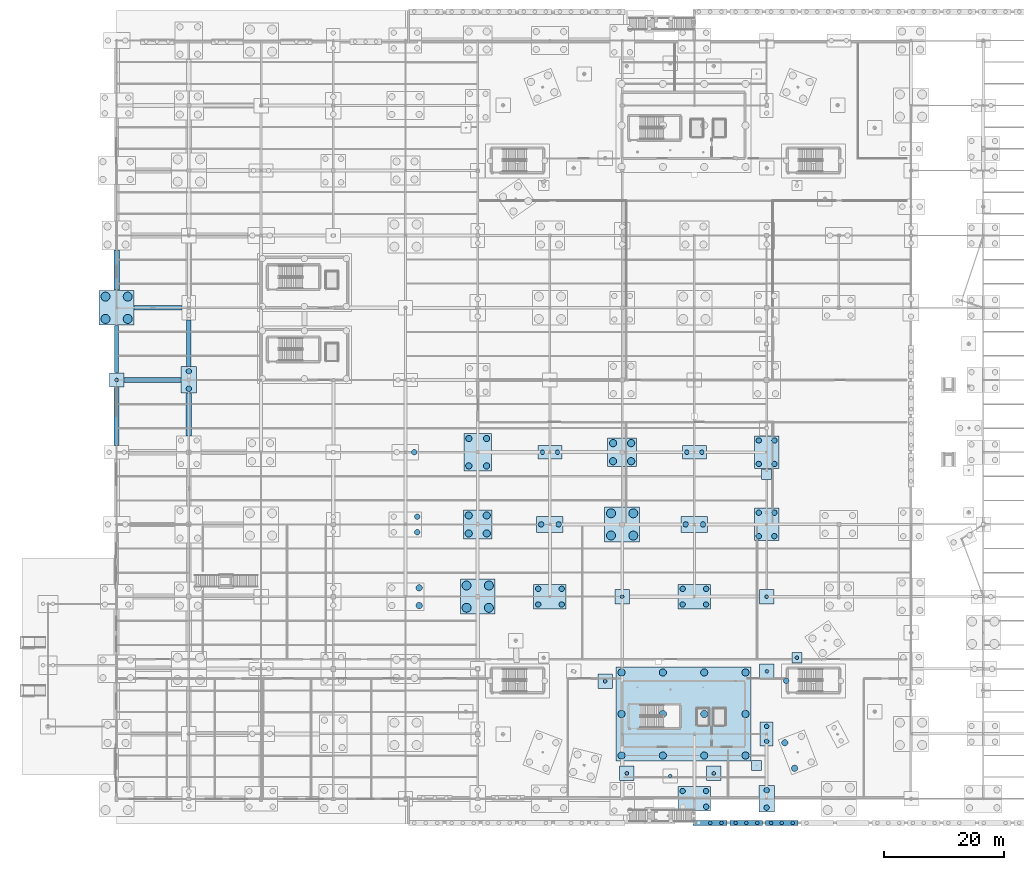
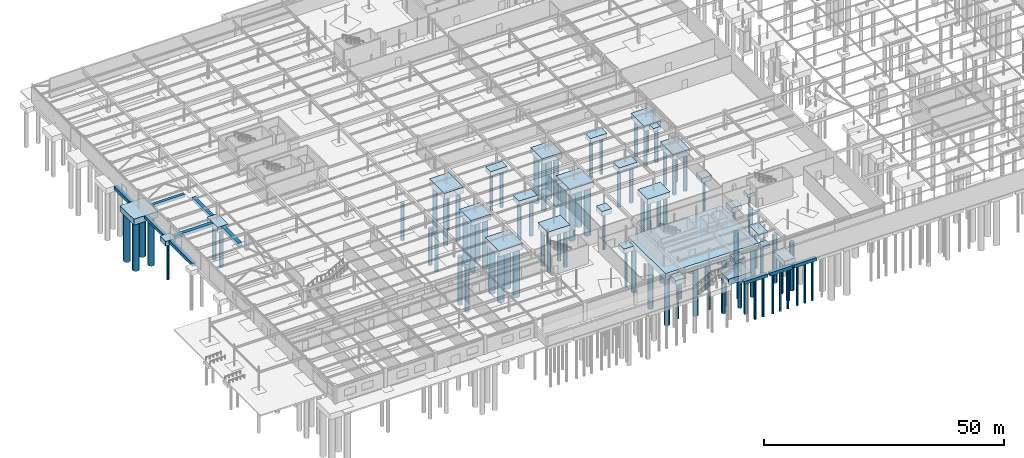
# One storey, part 3 of 136: 94 piles, 39 footings.
"""IFC4 building model written with IfcOpenShell, lengths in metres."""

from ifc_helpers import new_model, si_unit, direction, frame, origin, origin_2d, place, context, subcontext, project, spatial, rectangle, circle, extrude, material, material_profile, profile_set, type_object, element, save


model = new_model("IFC4")

# Units and contexts
model_context = context("Model", 3, precision=1e-05, world=origin(), true_north=direction((0.0, 1.0)))
body_context = subcontext(model_context, "Body", "Model", "MODEL_VIEW")
ifc_project = project(units=[si_unit("LENGTHUNIT", "METRE"), si_unit("AREAUNIT", "SQUARE_METRE"), si_unit("VOLUMEUNIT", "CUBIC_METRE"), si_unit("PLANEANGLEUNIT", "RADIAN"), si_unit("MASSUNIT", "GRAM", prefix="KILO")], contexts=[model_context])

# Site, building, storey
site_placement = place(None, origin())
site = spatial("IfcSite", under=ifc_project, at=site_placement, CompositionType="ELEMENT")
building_placement = place(site_placement, origin())
building = spatial("IfcBuilding", under=site, at=building_placement, Name="Tarnwether General Hospital", CompositionType="ELEMENT")
storey_placement = place(building_placement, frame((0.0, 0.0, -4.800048828125)))
storey = spatial("IfcBuildingStorey", under=building, at=storey_placement, Name="LG", CompositionType="ELEMENT", Elevation=-4.800048828125)

# Footings
ifc_material_1 = material(Name="Concrete 40 MPa", Category="concrete")
footing_type_1 = type_object("IfcFootingType", Name="FT-GB1", PredefinedType="FOOTING_BEAM", material=ifc_material_1)
footing_1_placement = place(storey_placement, frame((0.0, 63.550048828125, -0.7998046875), z_axis=(0.0, 0.0, 1.0), x_axis=(0.0, 1.0, 0.0)))
element("IfcFooting", 1, at=footing_1_placement, inside=storey, type_object=footing_type_1, Name="Ground Footing Beam FT-GB-0013", PredefinedType="FOOTING_BEAM", context=body_context, shape_type="SweptSolid", body=[
    extrude(rectangle(XDim=9.659912109375, YDim=0.800048828125, at=origin_2d()), origin(), (0.0, 0.0, 1.0), 0.800048828125),
])
footing_2_placement = place(storey_placement, frame((5.949951171875, 69.60009765625, -0.7998046875), z_axis=(0.0, 0.0, 1.0), x_axis=(1.0, 0.0, 0.0)))
element("IfcFooting", 2, at=footing_2_placement, inside=storey, type_object=footing_type_1, Name="Ground Footing Beam FT-GB-0016", PredefinedType="FOOTING_BEAM", context=body_context, shape_type="SweptSolid", body=[
    extrude(rectangle(XDim=9.4599609375, YDim=0.800048828125, at=origin_2d()), origin(), (0.0, 0.0, 1.0), 0.800048828125),
])
footing_3_placement = place(storey_placement, frame((12.0, 75.699951171875, -0.7998046875), z_axis=(0.0, 0.0, 1.0), x_axis=(0.0, 1.0, 0.0)))
element("IfcFooting", 3, at=footing_3_placement, inside=storey, type_object=footing_type_1, Name="Ground Footing Beam FT-GB-0037", PredefinedType="FOOTING_BEAM", context=body_context, shape_type="SweptSolid", body=[
    extrude(rectangle(XDim=7.760009765625, YDim=0.800048828125, at=origin_2d()), origin(), (0.0, 0.0, 1.0), 0.800048828125),
])
ifc_material_2 = material(Name="Concrete 40 MPa", Category="concrete")
footing_type_2 = type_object("IfcFootingType", Name="FT-GB2", PredefinedType="FOOTING_BEAM", material=ifc_material_2)
footing_4_placement = place(storey_placement, frame((0.0, 87.85009765625, -0.89990234375), z_axis=(0.0, 0.0, 1.0), x_axis=(0.0, 1.0, 0.0)))
element("IfcFooting", 4, at=footing_4_placement, inside=storey, type_object=footing_type_2, Name="Ground Footing Beam FT-GB-0017", PredefinedType="FOOTING_BEAM", context=body_context, shape_type="SweptSolid", body=[
    extrude(rectangle(XDim=6.659912109375, YDim=0.89990234375, at=origin_2d()), origin(), (0.0, 0.0, 1.0), 0.89990234375),
])
footing_5_placement = place(storey_placement, frame((12.0, 63.85009765625, -0.89990234375), z_axis=(0.0, 0.0, 1.0), x_axis=(0.0, 1.0, 0.0)))
element("IfcFooting", 5, at=footing_5_placement, inside=storey, type_object=footing_type_2, Name="Ground Footing Beam FT-GB-0035", PredefinedType="FOOTING_BEAM", context=body_context, shape_type="SweptSolid", body=[
    extrude(rectangle(XDim=7.06005859375, YDim=0.89990234375, at=origin_2d()), origin(), (0.0, 0.0, 1.0), 0.89990234375),
])
ifc_material_3 = material(Name="Concrete 40 MPa", Category="concrete")
footing_type_3 = type_object("IfcFootingType", Name="FT-GB3", PredefinedType="FOOTING_BEAM", material=ifc_material_3)
footing_6_placement = place(storey_placement, frame((0.0, 74.75, -0.69970703125), z_axis=(0.0, 0.0, 1.0), x_axis=(0.0, 1.0, 0.0)))
element("IfcFooting", 6, at=footing_6_placement, inside=storey, type_object=footing_type_3, Name="Ground Footing Beam FT-GB-0015", PredefinedType="FOOTING_BEAM", context=body_context, shape_type="SweptSolid", body=[
    extrude(rectangle(XDim=7.860107421875, YDim=0.699951171875, at=origin_2d()), origin(), (0.0, 0.0, 1.0), 0.699951171875),
])
footing_7_placement = place(storey_placement, frame((6.89990234375, 81.60009765625, -0.69970703125), z_axis=(0.0, 0.0, 1.0), x_axis=(1.0, 0.0, 0.0)))
element("IfcFooting", 7, at=footing_7_placement, inside=storey, type_object=footing_type_3, Name="Ground Footing Beam FT-GB-0018", PredefinedType="FOOTING_BEAM", context=body_context, shape_type="SweptSolid", body=[
    extrude(rectangle(XDim=7.9599609375, YDim=0.699951171875, at=origin_2d()), origin(), (0.0, 0.0, 1.0), 0.699951171875),
])
ifc_material_4 = material(Name="Concrete 40 MPa", Category="concrete")
footing_type_4 = type_object("IfcFootingType", Name="FT-PC1", PredefinedType="PILE_CAP", material=ifc_material_4)
for number, where, z_axis, x_axis, name in (
    (8, (0.0, 69.60009765625, -1.19970703125), (0.0, 0.0, 1.0), (1.0, 0.0, 0.0), "Pile Cap FT-CAP-0017"),
    (9, (84.0, 33.60009765625, -1.19970703125), (0.0, 0.0, 1.0), (0.0, 1.0, 0.0), "Pile Cap FT-CAP-0088"),
    (10, (108.0, 33.60009765625, -1.19970703125), (0.0, 0.0, 1.0), (0.0, 1.0, 0.0), "Pile Cap FT-CAP-0105"),
    (11, (81.162109375, 19.531005859375, -1.19970703125), (0.0, 0.0, 1.0), (1.0, 0.0, 0.0), "Pile Cap FT-CAP-0216"),
    (12, (84.784912109375, 4.240966796875, -1.19970703125), (0.0, 0.0, 1.0), (1.0, 0.0, 0.0), "Pile Cap FT-CAP-0217"),
    (13, (99.215087890625, 4.240966796875, -1.19970703125), (0.0, 0.0, 1.0), (1.0, 0.0, 0.0), "Pile Cap FT-CAP-0219"),
    (14, (108.054931640625, 21.176025390625, -1.19970703125), (0.0, 0.0, 1.0), (1.0, 0.0, 0.0), "Pile Cap FT-CAP-0222"),
):
    element("IfcFooting", number, at=place(storey_placement, frame(where, z_axis=z_axis, x_axis=x_axis)), inside=storey, type_object=footing_type_4, Name=name, PredefinedType="PILE_CAP", context=body_context, shape_type="SweptSolid", body=[
        extrude(rectangle(XDim=2.39990234375, YDim=2.39990234375, at=origin_2d()), origin(), (0.0, 0.0, 1.0), 1.199951171875),
    ])
ifc_material_5 = material(Name="Concrete 40 MPa", Category="concrete")
footing_type_5 = type_object("IfcFootingType", Name="FT-PC2", PredefinedType="PILE_CAP", material=ifc_material_5)
for number, where, z_axis, x_axis, name in (
    (15, (72.0, 57.60009765625, -1.19970703125), (0.0, 0.0, 1.0), (1.0, 0.0, 0.0), "Pile Cap FT-CAP-0082"),
    (16, (96.0, 57.60009765625, -1.19970703125), (0.0, 0.0, 1.0), (1.0, 0.0, 0.0), "Pile Cap FT-CAP-0098"),
    (17, (108.0, 10.800048828125, -1.19970703125), (0.0, 0.0, 1.0), (0.0, 1.0, 0.0), "Pile Cap FT-CAP-0104"),
):
    element("IfcFooting", number, at=place(storey_placement, frame(where, z_axis=z_axis, x_axis=x_axis)), inside=storey, type_object=footing_type_5, Name=name, PredefinedType="PILE_CAP", context=body_context, shape_type="SweptSolid", body=[
        extrude(rectangle(XDim=4.0, YDim=2.199951171875, at=origin_2d()), origin(), (0.0, 0.0, 1.0), 1.199951171875),
    ])
ifc_material_6 = material(Name="Concrete 40 MPa", Category="concrete")
footing_type_6 = type_object("IfcFootingType", Name="FT-PC3", PredefinedType="PILE_CAP", material=ifc_material_6)
for number, where, z_axis, x_axis, name in (
    (18, (12.0, 69.60009765625, -1.2998046875), (0.0, 0.0, 1.0), (0.0, 1.0, 0.0), "Pile Cap FT-CAP-0029"),
    (19, (72.0, 45.60009765625, -1.2998046875), (0.0, 0.0, 1.0), (1.0, 0.0, 0.0), "Pile Cap FT-CAP-0081"),
    (20, (96.0, 45.60009765625, -1.2998046875), (0.0, 0.0, 1.0), (1.0, 0.0, 0.0), "Pile Cap FT-CAP-0097"),
    (21, (108.0, 0.0, -1.2998046875), (0.0, 0.0, 1.0), (0.0, 1.0, 0.0), "Pile Cap FT-CAP-0103"),
):
    element("IfcFooting", number, at=place(storey_placement, frame(where, z_axis=z_axis, x_axis=x_axis)), inside=storey, type_object=footing_type_6, Name=name, PredefinedType="PILE_CAP", context=body_context, shape_type="SweptSolid", body=[
        extrude(rectangle(XDim=4.39990234375, YDim=2.60009765625, at=origin_2d()), origin(), (0.0, 0.0, 1.0), 1.300048828125),
    ])
ifc_material_7 = material(Name="Concrete 40 MPa", Category="concrete")
footing_type_7 = type_object("IfcFootingType", Name="FT-PC4", PredefinedType="PILE_CAP", material=ifc_material_7)
for number, where, z_axis, x_axis, name in (
    (22, (60.0, 45.60009765625, -1.39990234375), (0.0, 0.0, 1.0), (0.0, 1.0, 0.0), "Pile Cap FT-CAP-0071"),
    (23, (84.0, 57.60009765625, -1.39990234375), (0.0, 0.0, 1.0), (0.0, 1.0, 0.0), "Pile Cap FT-CAP-0090"),
):
    element("IfcFooting", number, at=place(storey_placement, frame(where, z_axis=z_axis, x_axis=x_axis)), inside=storey, type_object=footing_type_7, Name=name, PredefinedType="PILE_CAP", context=body_context, shape_type="SweptSolid", body=[
        extrude(rectangle(XDim=4.800048828125, YDim=4.800048828125, at=origin_2d()), origin(), (0.0, 0.0, 1.0), 1.39990234375),
    ])
ifc_material_8 = material(Name="Concrete 40 MPa", Category="concrete")
footing_type_8 = type_object("IfcFootingType", Name="FT-PC5", PredefinedType="PILE_CAP", material=ifc_material_8)
for number, where, z_axis, x_axis, name in (
    (24, (0.0, 81.60009765625, -1.5), (0.0, 0.0, 1.0), (1.0, 0.0, 0.0), "Pile Cap FT-CAP-0018"),
    (25, (60.0, 33.60009765625, -1.5), (0.0, 0.0, 1.0), (0.0, 1.0, 0.0), "Pile Cap FT-CAP-0070"),
    (26, (84.0, 45.60009765625, -1.5), (0.0, 0.0, 1.0), (0.0, 1.0, 0.0), "Pile Cap FT-CAP-0089"),
):
    element("IfcFooting", number, at=place(storey_placement, frame(where, z_axis=z_axis, x_axis=x_axis)), inside=storey, type_object=footing_type_8, Name=name, PredefinedType="PILE_CAP", context=body_context, shape_type="SweptSolid", body=[
        extrude(rectangle(XDim=5.800048828125, YDim=5.800048828125, at=origin_2d()), origin(), (0.0, 0.0, 1.0), 1.5),
    ])
ifc_material_9 = material(Name="Concrete 40 MPa", Category="concrete")
footing_type_9 = type_object("IfcFootingType", Name="FT-PC6", PredefinedType="PILE_CAP", material=ifc_material_9)
for number, where, z_axis, x_axis, name in (
    (27, (72.0, 33.60009765625, -1.44970703125), (0.0, 0.0, 1.0), (1.0, 0.0, 0.0), "Pile Cap FT-CAP-0080"),
    (28, (96.0, 0.0, -1.44970703125), (0.0, 0.0, 1.0), (1.0, 0.0, 0.0), "Pile Cap FT-CAP-0095"),
    (29, (96.0, 33.60009765625, -1.44970703125), (0.0, 0.0, 1.0), (1.0, 0.0, 0.0), "Pile Cap FT-CAP-0096"),
    (30, (108.0, 45.60009765625, -1.44970703125), (0.0, 0.0, 1.0), (0.0, 1.0, 0.0), "Pile Cap FT-CAP-0106"),
    (31, (108.0, 57.60009765625, -1.44970703125), (0.0, 0.0, 1.0), (0.0, 1.0, 0.0), "Pile Cap FT-CAP-0107"),
):
    element("IfcFooting", number, at=place(storey_placement, frame(where, z_axis=z_axis, x_axis=x_axis)), inside=storey, type_object=footing_type_9, Name=name, PredefinedType="PILE_CAP", context=body_context, shape_type="SweptSolid", body=[
        extrude(rectangle(XDim=5.39990234375, YDim=4.10009765625, at=origin_2d()), origin(), (0.0, 0.0, 1.0), 1.449951171875),
    ])
ifc_material_10 = material(Name="Concrete 40 MPa", Category="concrete")
footing_type_10 = type_object("IfcFootingType", Name="FT-PC7", PredefinedType="PILE_CAP", material=ifc_material_10)
footing_8_placement = place(storey_placement, frame((60.0, 57.60009765625, -1.5498046875), z_axis=(0.0, 0.0, 1.0), x_axis=(0.0, 1.0, 0.0)))
element("IfcFooting", 32, at=footing_8_placement, inside=storey, type_object=footing_type_10, Name="Pile Cap FT-CAP-0072", PredefinedType="PILE_CAP", context=body_context, shape_type="SweptSolid", body=[
    extrude(rectangle(XDim=6.199951171875, YDim=4.60009765625, at=origin_2d()), origin(), (0.0, 0.0, 1.0), 1.550048828125),
])
ifc_material_11 = material(Name="Concrete 40 MPa", Category="concrete")
footing_type_11 = type_object("IfcFootingType", Name="FT-PC9", PredefinedType="PILE_CAP", material=ifc_material_11)
footing_9_placement = place(storey_placement, frame((94.199951171875, 14.10009765625, -1.60009765625), z_axis=(0.0, 0.0, 1.0), x_axis=(1.0, 0.0, 0.0)))
element("IfcFooting", 33, at=footing_9_placement, inside=storey, type_object=footing_type_11, Name="Pile Cap FT-CAP-0002", PredefinedType="PILE_CAP", context=body_context, shape_type="SweptSolid", body=[
    extrude(rectangle(XDim=22.39990234375, YDim=15.60009765625, at=origin_2d()), origin(), (0.0, 0.0, 1.0), 1.60009765625),
])
ifc_material_12 = material(Name="Concrete 40 MPa", Category="concrete")
footing_type_12 = type_object("IfcFootingType", Name="FT-PF5", PredefinedType="PAD_FOOTING", material=ifc_material_12)
for number, where, z_axis, x_axis, name in (
    (34, (108.0, 53.949951171875, -0.7998046875), (0.0, 0.0, 1.0), (1.0, 0.0, 0.0), "Column Bearing Pad FT-PAD-0179"),
    (35, (106.322021484375, 5.55810546875, -0.7998046875), (0.0, 0.0, 1.0), (1.0, 0.0, 0.0), "Column Bearing Pad FT-PAD-0220"),
    (36, (113.031982421875, 23.444091796875, -0.7998046875), (0.0, 0.0, 1.0), (1.0, 0.0, 0.0), "Column Bearing Pad FT-PAD-0224"),
):
    element("IfcFooting", number, at=place(storey_placement, frame(where, z_axis=z_axis, x_axis=x_axis)), inside=storey, type_object=footing_type_12, Name=name, PredefinedType="PAD_FOOTING", context=body_context, shape_type="SweptSolid", body=[
        extrude(rectangle(XDim=1.699951171875, YDim=1.699951171875, at=origin_2d()), origin(), (0.0, 0.0, 1.0), 0.800048828125),
    ])
ifc_material_13 = material(Name="Concrete 40 MPa", Category="concrete")
footing_type_13 = type_object("IfcFootingType", Name="FT-SF1", PredefinedType="STRIP_FOOTING", material=ifc_material_13)
footing_10_placement = place(storey_placement, frame((98.6220703125, -4.0, -0.7998046875), z_axis=(0.0, 0.0, 1.0), x_axis=(1.0, 0.0, 0.0)))
element("IfcFooting", 37, at=footing_10_placement, inside=storey, type_object=footing_type_13, Name="Retaining Strip Footing FT-SF-0098", PredefinedType="STRIP_FOOTING", context=body_context, shape_type="SweptSolid", body=[
    extrude(rectangle(XDim=5.64404296875, YDim=0.800048828125, at=origin_2d()), origin(), (0.0, 0.0, 1.0), 0.800048828125),
])
for number, where, z_axis, x_axis, name in (
    (38, (104.64111328125, -4.0, -0.7998046875), (0.0, 0.0, 1.0), (1.0, 0.0, 0.0), "Retaining Strip Footing FT-SF-0099"),
    (39, (110.534912109375, -4.0, -0.7998046875), (0.0, 0.0, 1.0), (1.0, 0.0, 0.0), "Retaining Strip Footing FT-SF-0100"),
):
    element("IfcFooting", number, at=place(storey_placement, frame(where, z_axis=z_axis, x_axis=x_axis)), inside=storey, type_object=footing_type_13, Name=name, PredefinedType="STRIP_FOOTING", context=body_context, shape_type="SweptSolid", body=[
        extrude(rectangle(XDim=5.39404296875, YDim=0.800048828125, at=origin_2d()), origin(), (0.0, 0.0, 1.0), 0.800048828125),
    ])

# Piles
ifc_material_14 = material(Name="Concrete 40 MPa", Category="concrete")
ifc_material_profile_1 = material_profile(ifc_material_14, circle(Radius=0.52490234375, at=origin_2d()), Name="PILE-D1050")
ifc_profile_set_1 = profile_set([ifc_material_profile_1], Name="Concrete 40 MPa")
pile_type_1 = type_object("IfcPileType", Name="PL-1050", PredefinedType="BORED", material=ifc_profile_set_1)
for number, where, z_axis, x_axis, name in (
    (40, (50.27490234375, 32.125, -1.449951171875), (0.0, 0.0, -1.0), (1.0, 0.0, 0.0), "Bored Pile PLG-LG-503_321-0199"),
    (41, (50.27490234375, 35.074951171875, -1.449951171875), (0.0, 0.0, -1.0), (1.0, 0.0, 0.0), "Bored Pile PLG-LG-503_351-0200"),
    (42, (61.47509765625, 55.324951171875, -1.449951171875), (0.0, 0.0, -1.0), (1.0, 0.0, 0.0), "Bored Pile PLG-LG-615_553-0239"),
    (43, (58.52490234375, 55.324951171875, -1.449951171875), (0.0, 0.0, -1.0), (1.0, 0.0, 0.0), "Bored Pile PLG-LG-585_553-0240"),
    (44, (61.47509765625, 59.875, -1.449951171875), (0.0, 0.0, -1.0), (1.0, 0.0, 0.0), "Bored Pile PLG-LG-615_599-0241"),
    (45, (58.52490234375, 59.875, -1.449951171875), (0.0, 0.0, -1.0), (1.0, 0.0, 0.0), "Bored Pile PLG-LG-585_599-0242"),
    (46, (112.653076171875, 5.080078125, -1.449951171875), (0.0, 0.0, -1.0), (1.0, 0.0, 0.0), "Bored Pile PLG-LG-1127_51-0598"),
    (47, (111.02294921875, 9.326904296875, -1.449951171875), (0.0, 0.0, -1.0), (1.0, 0.0, 0.0), "Bored Pile PLG-LG-1110_93-0600"),
):
    element("IfcPile", number, at=place(storey_placement, frame(where, z_axis=z_axis, x_axis=x_axis)), inside=storey, type_object=pile_type_1, Name=name, PredefinedType="BORED", context=body_context, shape_type="SweptSolid", body=[
        extrude(circle(Radius=0.52490234375, at=origin_2d()), origin(), (0.0, 0.0, 1.0), 12.25),
    ])
ifc_material_15 = material(Name="Concrete 40 MPa", Category="concrete")
ifc_material_profile_2 = material_profile(ifc_material_15, circle(Radius=0.60009765625, at=origin_2d()), Name="PILE-D1200")
ifc_profile_set_2 = profile_set([ifc_material_profile_2], Name="Concrete 40 MPa")
pile_type_2 = type_object("IfcPileType", Name="PL-1200", PredefinedType="BORED", material=ifc_profile_set_2)
for number, where, z_axis, x_axis, name in (
    (48, (83.89990234375, 7.199951171875, -1.5), (0.0, 0.0, -1.0), (1.0, 0.0, 0.0), "Bored Pile PLG-LG-839_72-0013"),
    (49, (83.89990234375, 14.10009765625, -1.5), (0.0, 0.0, -1.0), (1.0, 0.0, 0.0), "Bored Pile PLG-LG-839_141-0014"),
    (50, (83.89990234375, 21.0, -1.5), (0.0, 0.0, -1.0), (1.0, 0.0, 0.0), "Bored Pile PLG-LG-839_210-0015"),
    (51, (90.76708984375, 7.199951171875, -1.5), (0.0, 0.0, -1.0), (1.0, 0.0, 0.0), "Bored Pile PLG-LG-908_72-0016"),
    (52, (90.76708984375, 14.10009765625, -1.5), (0.0, 0.0, -1.0), (1.0, 0.0, 0.0), "Bored Pile PLG-LG-908_141-0017"),
    (53, (90.76708984375, 21.0, -1.5), (0.0, 0.0, -1.0), (1.0, 0.0, 0.0), "Bored Pile PLG-LG-908_210-0018"),
    (54, (97.633056640625, 7.199951171875, -1.5), (0.0, 0.0, -1.0), (1.0, 0.0, 0.0), "Bored Pile PLG-LG-976_72-0019"),
    (55, (97.633056640625, 14.10009765625, -1.5), (0.0, 0.0, -1.0), (1.0, 0.0, 0.0), "Bored Pile PLG-LG-976_141-0020"),
    (56, (97.633056640625, 21.0, -1.5), (0.0, 0.0, -1.0), (1.0, 0.0, 0.0), "Bored Pile PLG-LG-976_210-0021"),
    (57, (104.5, 7.199951171875, -1.5), (0.0, 0.0, -1.0), (1.0, 0.0, 0.0), "Bored Pile PLG-LG-1045_72-0022"),
    (58, (104.5, 14.10009765625, -1.5), (0.0, 0.0, -1.0), (1.0, 0.0, 0.0), "Bored Pile PLG-LG-1045_141-0023"),
    (59, (104.5, 21.0, -1.5), (0.0, 0.0, -1.0), (1.0, 0.0, 0.0), "Bored Pile PLG-LG-1045_210-0024"),
):
    element("IfcPile", number, at=place(storey_placement, frame(where, z_axis=z_axis, x_axis=x_axis)), inside=storey, type_object=pile_type_2, Name=name, PredefinedType="BORED", context=body_context, shape_type="SweptSolid", body=[
        extrude(circle(Radius=0.60009765625, at=origin_2d()), origin(), (0.0, 0.0, 1.0), 12.199951171875),
    ])
for number, where, z_axis, x_axis, name in (
    (60, (61.5, 44.10009765625, -1.300048828125), (0.0, 0.0, -1.0), (1.0, 0.0, 0.0), "Bored Pile PLG-LG-615_441-0235"),
    (61, (58.5, 44.10009765625, -1.300048828125), (0.0, 0.0, -1.0), (1.0, 0.0, 0.0), "Bored Pile PLG-LG-585_441-0236"),
    (62, (61.5, 47.10009765625, -1.300048828125), (0.0, 0.0, -1.0), (1.0, 0.0, 0.0), "Bored Pile PLG-LG-615_471-0237"),
    (63, (58.5, 47.10009765625, -1.300048828125), (0.0, 0.0, -1.0), (1.0, 0.0, 0.0), "Bored Pile PLG-LG-585_471-0238"),
    (64, (85.5, 56.10009765625, -1.300048828125), (0.0, 0.0, -1.0), (1.0, 0.0, 0.0), "Bored Pile PLG-LG-855_561-0294"),
    (65, (82.5, 56.10009765625, -1.300048828125), (0.0, 0.0, -1.0), (1.0, 0.0, 0.0), "Bored Pile PLG-LG-825_561-0295"),
    (66, (85.5, 59.10009765625, -1.300048828125), (0.0, 0.0, -1.0), (1.0, 0.0, 0.0), "Bored Pile PLG-LG-855_591-0296"),
    (67, (82.5, 59.10009765625, -1.300048828125), (0.0, 0.0, -1.0), (1.0, 0.0, 0.0), "Bored Pile PLG-LG-825_591-0297"),
):
    element("IfcPile", number, at=place(storey_placement, frame(where, z_axis=z_axis, x_axis=x_axis)), inside=storey, type_object=pile_type_2, Name=name, PredefinedType="BORED", context=body_context, shape_type="SweptSolid", body=[
        extrude(circle(Radius=0.60009765625, at=origin_2d()), origin(), (0.0, 0.0, 1.0), 12.39990234375),
    ])
ifc_material_16 = material(Name="Concrete 40 MPa", Category="concrete")
ifc_material_profile_3 = material_profile(ifc_material_16, circle(Radius=0.75, at=origin_2d()), Name="PILE-D1500")
ifc_profile_set_3 = profile_set([ifc_material_profile_3], Name="Concrete 40 MPa")
pile_type_3 = type_object("IfcPileType", Name="PL-1500", PredefinedType="BORED", material=ifc_profile_set_3)
for number, where, z_axis, x_axis, name in (
    (68, (-1.85009765625, 79.75, -1.39990234375), (0.0, 0.0, -1.0), (1.0, 0.0, 0.0), "Bored Pile PLG-LG--18_798-0082"),
    (69, (-1.85009765625, 83.449951171875, -1.39990234375), (0.0, 0.0, -1.0), (1.0, 0.0, 0.0), "Bored Pile PLG-LG--18_834-0083"),
    (70, (1.85009765625, 79.75, -1.39990234375), (0.0, 0.0, -1.0), (1.0, 0.0, 0.0), "Bored Pile PLG-LG-18_798-0084"),
    (71, (1.85009765625, 83.449951171875, -1.39990234375), (0.0, 0.0, -1.0), (1.0, 0.0, 0.0), "Bored Pile PLG-LG-18_834-0085"),
    (72, (61.85009765625, 31.75, -1.39990234375), (0.0, 0.0, -1.0), (1.0, 0.0, 0.0), "Bored Pile PLG-LG-618_318-0231"),
    (73, (58.14990234375, 31.75, -1.39990234375), (0.0, 0.0, -1.0), (1.0, 0.0, 0.0), "Bored Pile PLG-LG-582_318-0232"),
    (74, (61.85009765625, 35.449951171875, -1.39990234375), (0.0, 0.0, -1.0), (1.0, 0.0, 0.0), "Bored Pile PLG-LG-618_354-0233"),
    (75, (58.14990234375, 35.449951171875, -1.39990234375), (0.0, 0.0, -1.0), (1.0, 0.0, 0.0), "Bored Pile PLG-LG-582_354-0234"),
    (76, (85.85009765625, 43.75, -1.39990234375), (0.0, 0.0, -1.0), (1.0, 0.0, 0.0), "Bored Pile PLG-LG-858_438-0290"),
    (77, (82.14990234375, 43.75, -1.39990234375), (0.0, 0.0, -1.0), (1.0, 0.0, 0.0), "Bored Pile PLG-LG-822_438-0291"),
    (78, (85.85009765625, 47.449951171875, -1.39990234375), (0.0, 0.0, -1.0), (1.0, 0.0, 0.0), "Bored Pile PLG-LG-858_474-0292"),
    (79, (82.14990234375, 47.449951171875, -1.39990234375), (0.0, 0.0, -1.0), (1.0, 0.0, 0.0), "Bored Pile PLG-LG-822_474-0293"),
):
    element("IfcPile", number, at=place(storey_placement, frame(where, z_axis=z_axis, x_axis=x_axis)), inside=storey, type_object=pile_type_3, Name=name, PredefinedType="BORED", context=body_context, shape_type="SweptSolid", body=[
        extrude(circle(Radius=0.75, at=origin_2d()), origin(), (0.0, 0.0, 1.0), 12.300048828125),
    ])
ifc_material_17 = material(Name="Concrete 40 MPa", Category="concrete")
ifc_material_profile_4 = material_profile(ifc_material_17, circle(Radius=0.300048828125, at=origin_2d()), Name="PILE-D600")
ifc_profile_set_4 = profile_set([ifc_material_profile_4], Name="Concrete 40 MPa")
pile_type_4 = type_object("IfcPileType", Name="PL-600", PredefinedType="BORED", material=ifc_profile_set_4)
for number, where, z_axis, x_axis, name in (
    (80, (0.0, 69.60009765625, -1.099853515625), (0.0, 0.0, -1.0), (1.0, 0.0, 0.0), "Bored Pile PLG-LG-0_696-0081"),
    (81, (84.0, 33.60009765625, -1.099853515625), (0.0, 0.0, -1.0), (1.0, 0.0, 0.0), "Bored Pile PLG-LG-840_336-0289"),
    (82, (108.0, 33.60009765625, -1.099853515625), (0.0, 0.0, -1.0), (1.0, 0.0, 0.0), "Bored Pile PLG-LG-1080_336-0341"),
    (83, (81.162109375, 19.531005859375, -1.099853515625), (0.0, 0.0, -1.0), (1.0, 0.0, 0.0), "Bored Pile PLG-LG-812_195-0593"),
    (84, (84.784912109375, 4.240966796875, -1.099853515625), (0.0, 0.0, -1.0), (1.0, 0.0, 0.0), "Bored Pile PLG-LG-848_42-0594"),
    (85, (92.0, 3.800048828125, -1.099853515625), (0.0, 0.0, -1.0), (1.0, 0.0, 0.0), "Bored Pile PLG-LG-920_38-0595"),
    (86, (99.215087890625, 4.240966796875, -1.099853515625), (0.0, 0.0, -1.0), (1.0, 0.0, 0.0), "Bored Pile PLG-LG-992_42-0596"),
    (87, (108.054931640625, 21.176025390625, -1.099853515625), (0.0, 0.0, -1.0), (1.0, 0.0, 0.0), "Bored Pile PLG-LG-1081_212-0601"),
):
    element("IfcPile", number, at=place(storey_placement, frame(where, z_axis=z_axis, x_axis=x_axis)), inside=storey, type_object=pile_type_4, Name=name, PredefinedType="BORED", context=body_context, shape_type="SweptSolid", body=[
        extrude(circle(Radius=0.300048828125, at=origin_2d()), origin(), (0.0, 0.0, 1.0), 9.60009765625),
    ])
for number, where, z_axis, x_axis, name in (
    (88, (113.031982421875, 23.444091796875, -0.699951171875), (0.0, 0.0, -1.0), (1.0, 0.0, 0.0), "Bored Pile PLG-LG-1130_234-0604"),
    (89, (98.6220703125, -4.0, -0.699951171875), (0.0, 0.0, -1.0), (1.0, 0.0, 0.0), "Bored Pile PLG-LG-986_-40-0777"),
    (90, (100.5029296875, -4.0, -0.699951171875), (0.0, 0.0, -1.0), (1.0, 0.0, 0.0), "Bored Pile PLG-LG-1005_-40-0778"),
    (91, (102.843017578125, -4.0, -0.699951171875), (0.0, 0.0, -1.0), (1.0, 0.0, 0.0), "Bored Pile PLG-LG-1028_-40-0779"),
    (92, (104.64111328125, -4.0, -0.699951171875), (0.0, 0.0, -1.0), (1.0, 0.0, 0.0), "Bored Pile PLG-LG-1046_-40-0780"),
    (93, (106.43896484375, -4.0, -0.699951171875), (0.0, 0.0, -1.0), (1.0, 0.0, 0.0), "Bored Pile PLG-LG-1064_-40-0781"),
    (94, (108.737060546875, -4.0, -0.699951171875), (0.0, 0.0, -1.0), (1.0, 0.0, 0.0), "Bored Pile PLG-LG-1087_-40-0782"),
    (95, (110.534912109375, -4.0, -0.699951171875), (0.0, 0.0, -1.0), (1.0, 0.0, 0.0), "Bored Pile PLG-LG-1105_-40-0783"),
    (96, (112.3330078125, -4.0, -0.699951171875), (0.0, 0.0, -1.0), (1.0, 0.0, 0.0), "Bored Pile PLG-LG-1123_-40-0784"),
):
    element("IfcPile", number, at=place(storey_placement, frame(where, z_axis=z_axis, x_axis=x_axis)), inside=storey, type_object=pile_type_4, Name=name, PredefinedType="BORED", context=body_context, shape_type="SweptSolid", body=[
        extrude(circle(Radius=0.300048828125, at=origin_2d()), origin(), (0.0, 0.0, 1.0), 10.0),
    ])
ifc_material_18 = material(Name="Concrete 40 MPa", Category="concrete")
ifc_material_profile_5 = material_profile(ifc_material_18, circle(Radius=0.375, at=origin_2d()), Name="PILE-D750")
ifc_profile_set_5 = profile_set([ifc_material_profile_5], Name="Concrete 40 MPa")
pile_type_5 = type_object("IfcPileType", Name="PL-750", PredefinedType="BORED", material=ifc_profile_set_5)
for number, where, z_axis, x_axis, name in (
    (97, (70.75, 57.60009765625, -1.099853515625), (0.0, 0.0, -1.0), (1.0, 0.0, 0.0), "Bored Pile PLG-LG-708_576-0270"),
    (98, (73.25, 57.60009765625, -1.099853515625), (0.0, 0.0, -1.0), (1.0, 0.0, 0.0), "Bored Pile PLG-LG-732_576-0271"),
    (99, (94.75, 57.60009765625, -1.099853515625), (0.0, 0.0, -1.0), (1.0, 0.0, 0.0), "Bored Pile PLG-LG-948_576-0322"),
    (100, (97.25, 57.60009765625, -1.099853515625), (0.0, 0.0, -1.0), (1.0, 0.0, 0.0), "Bored Pile PLG-LG-972_576-0323"),
    (101, (108.0, 9.550048828125, -1.099853515625), (0.0, 0.0, -1.0), (1.0, 0.0, 0.0), "Bored Pile PLG-LG-1080_96-0339"),
    (102, (108.0, 12.050048828125, -1.099853515625), (0.0, 0.0, -1.0), (1.0, 0.0, 0.0), "Bored Pile PLG-LG-1080_120-0340"),
):
    element("IfcPile", number, at=place(storey_placement, frame(where, z_axis=z_axis, x_axis=x_axis)), inside=storey, type_object=pile_type_5, Name=name, PredefinedType="BORED", context=body_context, shape_type="SweptSolid", body=[
        extrude(circle(Radius=0.375, at=origin_2d()), origin(), (0.0, 0.0, 1.0), 9.60009765625),
    ])
ifc_material_19 = material(Name="Concrete 40 MPa", Category="concrete")
ifc_material_profile_6 = material_profile(ifc_material_19, circle(Radius=0.449951171875, at=origin_2d()), Name="PILE-D900")
ifc_profile_set_6 = profile_set([ifc_material_profile_6], Name="Concrete 40 MPa")
pile_type_6 = type_object("IfcPileType", Name="PL-900", PredefinedType="BORED", material=ifc_profile_set_6)
pile_1_placement = place(storey_placement, frame((111.25, 19.60009765625, -1.349853515625), z_axis=(0.0, 0.0, -1.0), x_axis=(1.0, 0.0, 0.0)))
element("IfcPile", 103, at=pile_1_placement, inside=storey, type_object=pile_type_6, Name="Bored Pile PLG-LG-1112_196-0058", PredefinedType="BORED", context=body_context, shape_type="SweptSolid", body=[
    extrude(circle(Radius=0.449951171875, at=origin_2d()), origin(), (0.0, 0.0, 1.0), 9.35009765625),
])
for number, where, z_axis, x_axis, name in (
    (104, (12.0, 68.14990234375, -1.199951171875), (0.0, 0.0, -1.0), (1.0, 0.0, 0.0), "Bored Pile PLG-LG-120_682-0119"),
    (105, (12.0, 71.050048828125, -1.199951171875), (0.0, 0.0, -1.0), (1.0, 0.0, 0.0), "Bored Pile PLG-LG-120_710-0120"),
):
    element("IfcPile", number, at=place(storey_placement, frame(where, z_axis=z_axis, x_axis=x_axis)), inside=storey, type_object=pile_type_6, Name=name, PredefinedType="BORED", context=body_context, shape_type="SweptSolid", body=[
        extrude(circle(Radius=0.449951171875, at=origin_2d()), origin(), (0.0, 0.0, 1.0), 9.5),
    ])
for number, where, z_axis, x_axis, name in (
    (106, (49.949951171875, 44.300048828125, -1.349853515625), (0.0, 0.0, -1.0), (1.0, 0.0, 0.0), "Bored Pile PLG-LG-500_443-0203"),
    (107, (49.949951171875, 46.89990234375, -1.349853515625), (0.0, 0.0, -1.0), (1.0, 0.0, 0.0), "Bored Pile PLG-LG-500_469-0204"),
):
    element("IfcPile", number, at=place(storey_placement, frame(where, z_axis=z_axis, x_axis=x_axis)), inside=storey, type_object=pile_type_6, Name=name, PredefinedType="BORED", context=body_context, shape_type="SweptSolid", body=[
        extrude(circle(Radius=0.449951171875, at=origin_2d()), origin(), (0.0, 0.0, 1.0), 9.35009765625),
    ])
pile_2_placement = place(storey_placement, frame((49.449951171875, 57.60009765625, -1.199951171875), z_axis=(0.0, 0.0, -1.0), x_axis=(1.0, 0.0, 0.0)))
element("IfcPile", 108, at=pile_2_placement, inside=storey, type_object=pile_type_6, Name="Bored Pile PLG-LG-494_576-0206", PredefinedType="BORED", context=body_context, shape_type="SweptSolid", body=[
    extrude(circle(Radius=0.449951171875, at=origin_2d()), origin(), (0.0, 0.0, 1.0), 9.5),
])
for number, where, z_axis, x_axis, name in (
    (109, (70.050048828125, 32.300048828125, -1.349853515625), (0.0, 0.0, -1.0), (1.0, 0.0, 0.0), "Bored Pile PLG-LG-700_323-0264"),
    (110, (70.050048828125, 34.89990234375, -1.349853515625), (0.0, 0.0, -1.0), (1.0, 0.0, 0.0), "Bored Pile PLG-LG-700_349-0265"),
    (111, (73.949951171875, 32.300048828125, -1.349853515625), (0.0, 0.0, -1.0), (1.0, 0.0, 0.0), "Bored Pile PLG-LG-740_323-0266"),
    (112, (73.949951171875, 34.89990234375, -1.349853515625), (0.0, 0.0, -1.0), (1.0, 0.0, 0.0), "Bored Pile PLG-LG-740_349-0267"),
):
    element("IfcPile", number, at=place(storey_placement, frame(where, z_axis=z_axis, x_axis=x_axis)), inside=storey, type_object=pile_type_6, Name=name, PredefinedType="BORED", context=body_context, shape_type="SweptSolid", body=[
        extrude(circle(Radius=0.449951171875, at=origin_2d()), origin(), (0.0, 0.0, 1.0), 9.35009765625),
    ])
for number, where, z_axis, x_axis, name in (
    (113, (70.550048828125, 45.60009765625, -1.199951171875), (0.0, 0.0, -1.0), (1.0, 0.0, 0.0), "Bored Pile PLG-LG-706_456-0268"),
    (114, (73.449951171875, 45.60009765625, -1.199951171875), (0.0, 0.0, -1.0), (1.0, 0.0, 0.0), "Bored Pile PLG-LG-734_456-0269"),
):
    element("IfcPile", number, at=place(storey_placement, frame(where, z_axis=z_axis, x_axis=x_axis)), inside=storey, type_object=pile_type_6, Name=name, PredefinedType="BORED", context=body_context, shape_type="SweptSolid", body=[
        extrude(circle(Radius=0.449951171875, at=origin_2d()), origin(), (0.0, 0.0, 1.0), 9.5),
    ])
for number, where, z_axis, x_axis, name in (
    (115, (94.050048828125, 1.300048828125, -1.349853515625), (0.0, 0.0, -1.0), (1.0, 0.0, 0.0), "Bored Pile PLG-LG-940_13-0313"),
    (116, (97.949951171875, -1.300048828125, -1.349853515625), (0.0, 0.0, -1.0), (1.0, 0.0, 0.0), "Bored Pile PLG-LG-980_-13-0314"),
    (117, (97.949951171875, 1.300048828125, -1.349853515625), (0.0, 0.0, -1.0), (1.0, 0.0, 0.0), "Bored Pile PLG-LG-980_13-0315"),
    (118, (94.050048828125, 32.300048828125, -1.349853515625), (0.0, 0.0, -1.0), (1.0, 0.0, 0.0), "Bored Pile PLG-LG-940_323-0316"),
    (119, (94.050048828125, 34.89990234375, -1.349853515625), (0.0, 0.0, -1.0), (1.0, 0.0, 0.0), "Bored Pile PLG-LG-940_349-0317"),
    (120, (97.949951171875, 32.300048828125, -1.349853515625), (0.0, 0.0, -1.0), (1.0, 0.0, 0.0), "Bored Pile PLG-LG-980_323-0318"),
    (121, (97.949951171875, 34.89990234375, -1.349853515625), (0.0, 0.0, -1.0), (1.0, 0.0, 0.0), "Bored Pile PLG-LG-980_349-0319"),
):
    element("IfcPile", number, at=place(storey_placement, frame(where, z_axis=z_axis, x_axis=x_axis)), inside=storey, type_object=pile_type_6, Name=name, PredefinedType="BORED", context=body_context, shape_type="SweptSolid", body=[
        extrude(circle(Radius=0.449951171875, at=origin_2d()), origin(), (0.0, 0.0, 1.0), 9.35009765625),
    ])
for number, where, z_axis, x_axis, name in (
    (122, (94.550048828125, 45.60009765625, -1.199951171875), (0.0, 0.0, -1.0), (1.0, 0.0, 0.0), "Bored Pile PLG-LG-946_456-0320"),
    (123, (97.449951171875, 45.60009765625, -1.199951171875), (0.0, 0.0, -1.0), (1.0, 0.0, 0.0), "Bored Pile PLG-LG-974_456-0321"),
    (124, (108.0, -1.449951171875, -1.199951171875), (0.0, 0.0, -1.0), (1.0, 0.0, 0.0), "Bored Pile PLG-LG-1080_-14-0337"),
    (125, (108.0, 1.449951171875, -1.199951171875), (0.0, 0.0, -1.0), (1.0, 0.0, 0.0), "Bored Pile PLG-LG-1080_14-0338"),
):
    element("IfcPile", number, at=place(storey_placement, frame(where, z_axis=z_axis, x_axis=x_axis)), inside=storey, type_object=pile_type_6, Name=name, PredefinedType="BORED", context=body_context, shape_type="SweptSolid", body=[
        extrude(circle(Radius=0.449951171875, at=origin_2d()), origin(), (0.0, 0.0, 1.0), 9.5),
    ])
for number, where, z_axis, x_axis, name in (
    (126, (109.300048828125, 43.64990234375, -1.349853515625), (0.0, 0.0, -1.0), (1.0, 0.0, 0.0), "Bored Pile PLG-LG-1093_436-0342"),
    (127, (106.699951171875, 43.64990234375, -1.349853515625), (0.0, 0.0, -1.0), (1.0, 0.0, 0.0), "Bored Pile PLG-LG-1067_436-0343"),
    (128, (109.300048828125, 47.550048828125, -1.349853515625), (0.0, 0.0, -1.0), (1.0, 0.0, 0.0), "Bored Pile PLG-LG-1093_476-0344"),
    (129, (106.699951171875, 47.550048828125, -1.349853515625), (0.0, 0.0, -1.0), (1.0, 0.0, 0.0), "Bored Pile PLG-LG-1067_476-0345"),
    (130, (109.300048828125, 55.64990234375, -1.349853515625), (0.0, 0.0, -1.0), (1.0, 0.0, 0.0), "Bored Pile PLG-LG-1093_556-0346"),
    (131, (106.699951171875, 55.64990234375, -1.349853515625), (0.0, 0.0, -1.0), (1.0, 0.0, 0.0), "Bored Pile PLG-LG-1067_556-0347"),
    (132, (109.300048828125, 59.550048828125, -1.349853515625), (0.0, 0.0, -1.0), (1.0, 0.0, 0.0), "Bored Pile PLG-LG-1093_596-0348"),
    (133, (106.699951171875, 59.550048828125, -1.349853515625), (0.0, 0.0, -1.0), (1.0, 0.0, 0.0), "Bored Pile PLG-LG-1067_596-0349"),
):
    element("IfcPile", number, at=place(storey_placement, frame(where, z_axis=z_axis, x_axis=x_axis)), inside=storey, type_object=pile_type_6, Name=name, PredefinedType="BORED", context=body_context, shape_type="SweptSolid", body=[
        extrude(circle(Radius=0.449951171875, at=origin_2d()), origin(), (0.0, 0.0, 1.0), 9.35009765625),
    ])

save(model, "model.ifc")
